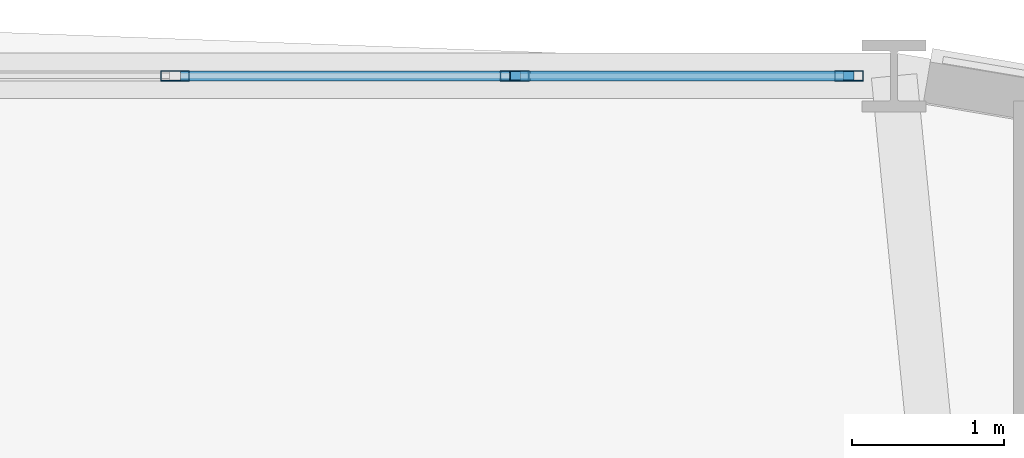
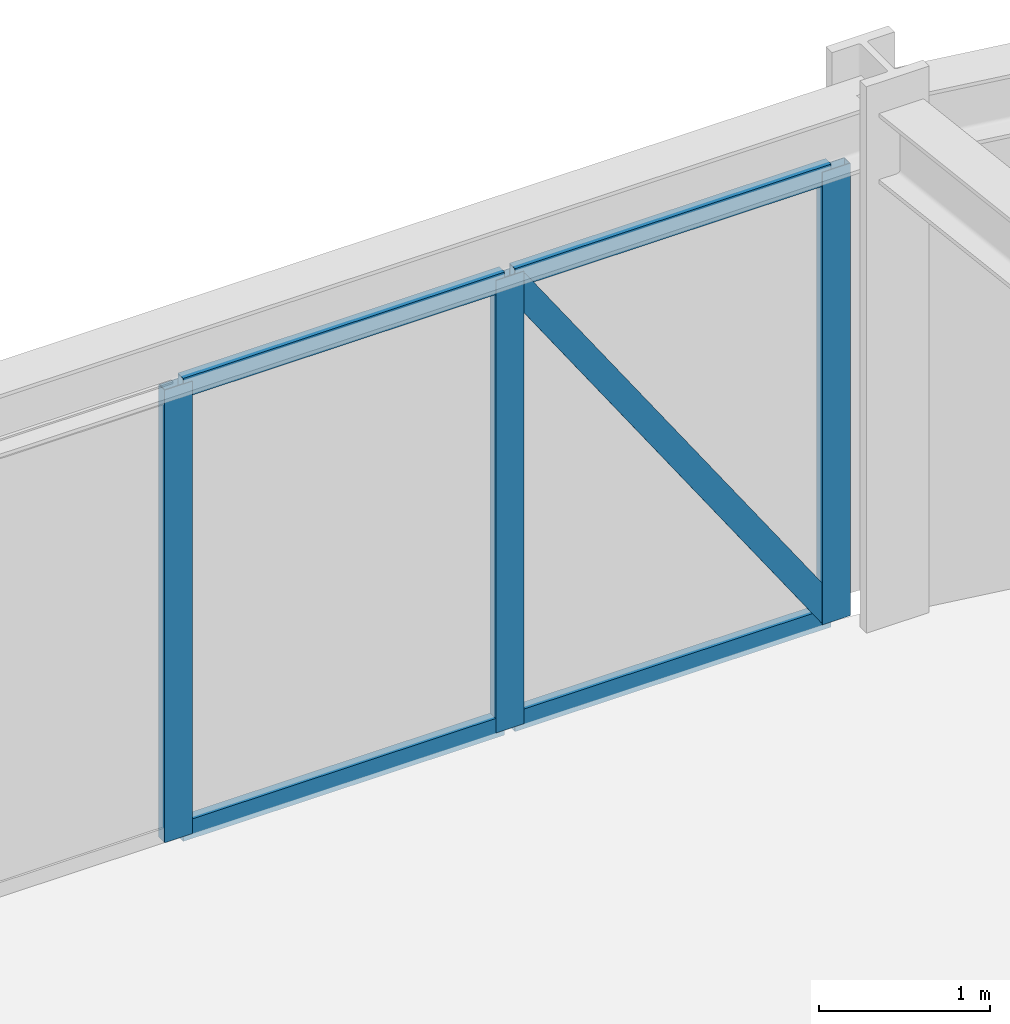
# One storey, part 13 of 21: 8 members, 1 element without a shape of its own.
"""IFC4 building model written with IfcOpenShell, lengths in metres."""

from ifc_helpers import new_model, si_unit, derived_unit, direction, frame, origin, origin_2d, place, context, subcontext, project, spatial, hollow_rectangle, extrude, source, transform, mapped, material, layer, layer_set, material_profile, profile_set, type_object, element, aggregate, save


model = new_model("IFC4")

# Units and contexts
model_context = context("Model", 3, precision=1e-05, world=origin(), true_north=direction((0.0, 1.0)))
body_context = subcontext(model_context, "Body", "Model", "MODEL_VIEW")
ifc_project = project(units=[si_unit("LENGTHUNIT", "METRE"), si_unit("AREAUNIT", "SQUARE_METRE"), si_unit("VOLUMEUNIT", "CUBIC_METRE"), si_unit("PLANEANGLEUNIT", "RADIAN"), si_unit("MASSUNIT", "GRAM", prefix="KILO"), derived_unit("THERMALTRANSMITTANCEUNIT", [(si_unit("POWERUNIT", "WATT"), 1), (si_unit("LENGTHUNIT", "METRE"), -2), (si_unit("THERMODYNAMICTEMPERATUREUNIT", "KELVIN"), -1)])], contexts=[model_context])

# Site, building, storey
site_placement = place(None, origin())
site = spatial("IfcSite", under=ifc_project, at=site_placement, CompositionType="ELEMENT")
building_placement = place(site_placement, origin())
building = spatial("IfcBuilding", under=site, at=building_placement, Name="Korsvarv Bourse and Concert Hall", CompositionType="ELEMENT")
storey_placement = place(building_placement, frame((0.0, 0.0, 27.89990234375)))
storey = spatial("IfcBuildingStorey", under=building, at=storey_placement, Name="L06", CompositionType="ELEMENT", Elevation=27.89990234375)

# Curtain wall, members
ifc_material_1 = material(Name="Anodised aluminium and triple low-E glazing", Category="glass")
ifc_layer = layer(ifc_material_1, 0.219970703125)
ifc_layer_set = layer_set([ifc_layer], Name="Anodised aluminium and triple low-E glazing")
curtain_wall_type = type_object("IfcCurtainWallType", Name="CW-SYS-1", PredefinedType="NOTDEFINED", material=ifc_layer_set)
curtain_wall_placement = place(storey_placement, origin())
curtain_wall = element("IfcCurtainWall", 1, at=curtain_wall_placement, inside=storey, type_object=curtain_wall_type, Name="L06 CW1 curtain wall CW-L06-F03", PredefinedType="NOTDEFINED")
ifc_material_2 = material(Name="Extruded aluminium EN AW-6063 T66", Category="aluminium")
ifc_material_profile_1 = material_profile(ifc_material_2, hollow_rectangle(XDim=0.070068359375, YDim=0.18994140625, WallThickness=0.0048828125, at=origin_2d()), Name="ALU-M 70x190")
ifc_profile_set_1 = profile_set([ifc_material_profile_1], Name="Extruded aluminium EN AW-6063 T66")
member_type_1 = type_object("IfcMemberType", Name="CWM-190", PredefinedType="MULLION", material=ifc_profile_set_1)
shared_shape_1 = source(origin(), body_context, "Body", "SweptSolid", [
    extrude(hollow_rectangle(XDim=0.070068359375, YDim=0.18994140625, WallThickness=0.0048828125, at=origin_2d()), origin(), (0.0, 0.0, 1.0), 3.22998046875),
])
member_1_placement = place(storey_placement, frame((43.800537109375, 57.9169921875, 0.0), z_axis=(0.0, 0.0, 1.0), x_axis=(0.0, -1.0, 0.0)))
member_1 = element("IfcMember", 2, at=member_1_placement, type_object=member_type_1, Name="CW1 mullion 1", PredefinedType="MULLION", context=body_context, shape_type="MappedRepresentation", body=[
    mapped(shared_shape_1, transform((0.0, 0.0, 0.0), scale=1.0)),
])
member_2_placement = place(storey_placement, frame((41.5966796875, 57.9169921875, 0.0), z_axis=(0.0, 0.0, 1.0), x_axis=(0.0, -1.0, 0.0)))
member_2 = element("IfcMember", 3, at=member_2_placement, type_object=member_type_1, Name="CW1 mullion 2", PredefinedType="MULLION", context=body_context, shape_type="MappedRepresentation", body=[
    mapped(shared_shape_1, transform((0.0, 0.0, 0.0), scale=1.0)),
])
member_3_placement = place(storey_placement, frame((39.358154296875, 57.9169921875, 0.0), z_axis=(0.0, 0.0, 1.0), x_axis=(0.0, -1.0, 0.0)))
member_3 = element("IfcMember", 4, at=member_3_placement, type_object=member_type_1, Name="CW1 mullion 3", PredefinedType="MULLION", context=body_context, shape_type="MappedRepresentation", body=[
    mapped(shared_shape_1, transform((0.0, 0.0, 0.0), scale=1.0)),
])
ifc_material_profile_2 = material_profile(ifc_material_2, hollow_rectangle(XDim=0.06494140625, YDim=0.139892578125, WallThickness=0.00390625, at=origin_2d()), Name="ALU-T 65x140")
ifc_profile_set_2 = profile_set([ifc_material_profile_2], Name="Extruded aluminium EN AW-6063 T66")
member_type_2 = type_object("IfcMemberType", Name="CWT-140", PredefinedType="USERDEFINED", material=ifc_profile_set_2)
shared_shape_2 = source(origin(), body_context, "Body", "SweptSolid", [
    extrude(hollow_rectangle(XDim=0.06494140625, YDim=0.139892578125, WallThickness=0.00390625, at=origin_2d()), origin(), (0.0, 0.0, 1.0), 2.133544921875),
])
member_4_placement = place(storey_placement, frame((43.765380859375, 57.9169921875, 0.03271484375), z_axis=(-1.0, 0.0, 0.0), x_axis=(0.0, -1.0, 0.0)))
member_4 = element("IfcMember", 5, at=member_4_placement, type_object=member_type_2, Name="CW1 transom 1.1", ObjectType="TRANSOM", PredefinedType="USERDEFINED", context=body_context, shape_type="MappedRepresentation", body=[
    mapped(shared_shape_2, transform((0.0, 0.0, 0.0), scale=1.0)),
])
member_5_placement = place(storey_placement, frame((43.765380859375, 57.9169921875, 3.197509765625), z_axis=(-1.0, 0.0, 0.0), x_axis=(0.0, -1.0, 0.0)))
member_5 = element("IfcMember", 6, at=member_5_placement, type_object=member_type_2, Name="CW1 transom 1.2", ObjectType="TRANSOM", PredefinedType="USERDEFINED", context=body_context, shape_type="MappedRepresentation", body=[
    mapped(shared_shape_2, transform((0.0, 0.0, 0.0), scale=1.0)),
])
shared_shape_3 = source(origin(), body_context, "Body", "SweptSolid", [
    extrude(hollow_rectangle(XDim=0.06494140625, YDim=0.139892578125, WallThickness=0.00390625, at=origin_2d()), origin(), (0.0, 0.0, 1.0), 2.168701171875),
])
member_6_placement = place(storey_placement, frame((41.561767578125, 57.9169921875, 0.03271484375), z_axis=(-1.0, 0.0, 0.0), x_axis=(0.0, -1.0, 0.0)))
member_6 = element("IfcMember", 7, at=member_6_placement, type_object=member_type_2, Name="CW1 transom 2.1", ObjectType="TRANSOM", PredefinedType="USERDEFINED", context=body_context, shape_type="MappedRepresentation", body=[
    mapped(shared_shape_3, transform((0.0, 0.0, 0.0), scale=1.0)),
])
member_7_placement = place(storey_placement, frame((41.561767578125, 57.9169921875, 3.197509765625), z_axis=(-1.0, 0.0, 0.0), x_axis=(0.0, -1.0, 0.0)))
member_7 = element("IfcMember", 8, at=member_7_placement, type_object=member_type_2, Name="CW1 transom 2.2", ObjectType="TRANSOM", PredefinedType="USERDEFINED", context=body_context, shape_type="MappedRepresentation", body=[
    mapped(shared_shape_3, transform((0.0, 0.0, 0.0), scale=1.0)),
])
ifc_material_profile_3 = material_profile(ifc_material_2, hollow_rectangle(XDim=0.06494140625, YDim=0.1650390625, WallThickness=0.0048828125, at=origin_2d()), Name="ALU-M 65x165")
ifc_profile_set_3 = profile_set([ifc_material_profile_3], Name="Extruded aluminium EN AW-6063 T66")
member_type_3 = type_object("IfcMemberType", Name="CWM-165", PredefinedType="MULLION", material=ifc_profile_set_3)
shared_shape_4 = source(origin(), body_context, "Body", "SweptSolid", [
    extrude(hollow_rectangle(XDim=0.06494140625, YDim=0.1650390625, WallThickness=0.0048828125, at=origin_2d()), origin(), (0.0, 0.0, 1.0), 3.76318359375),
])
member_8_placement = place(storey_placement, frame((43.765380859375, 57.9169921875, 0.065185546875), z_axis=(-0.566961029524, 0.0, 0.823744615158), x_axis=(0.0, -1.0, 0.0)))
member_8 = element("IfcMember", 9, at=member_8_placement, type_object=member_type_3, Name="CW1 diagonal mullion 1", PredefinedType="MULLION", context=body_context, shape_type="MappedRepresentation", body=[
    mapped(shared_shape_4, transform((0.0, 0.0, 0.0), scale=1.0)),
])
aggregate(curtain_wall, [member_1, member_2, member_3, member_4, member_5, member_8, member_6, member_7])

save(model, "model.ifc")
